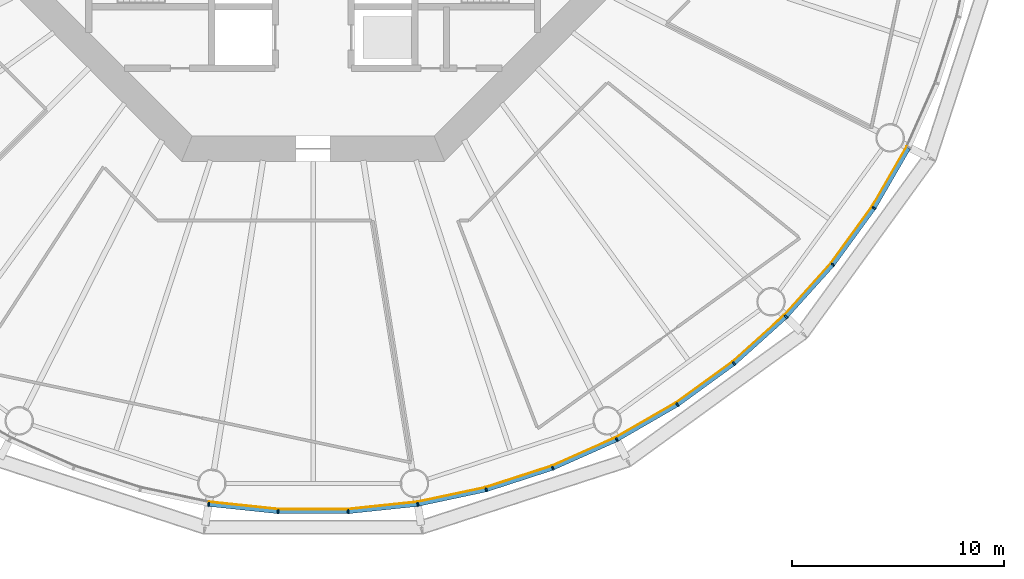
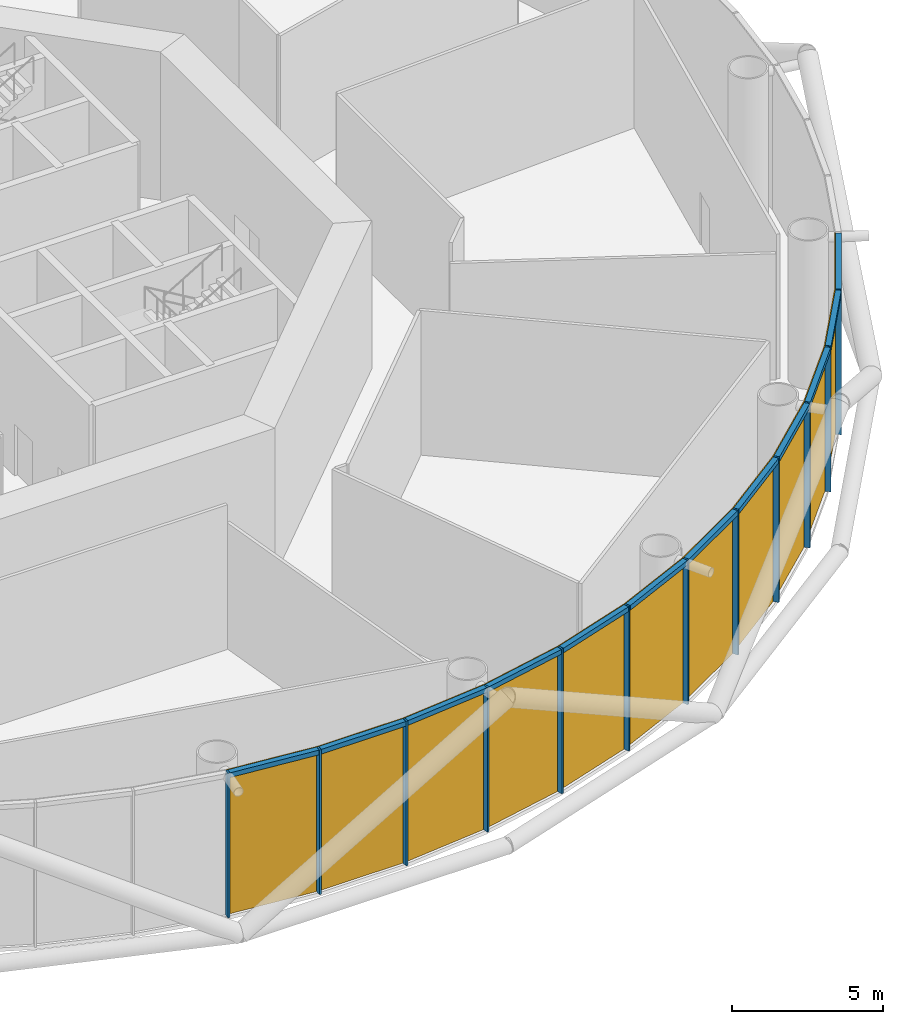
# One storey, part 8 of 14: 24 members, 4 curtain walls.
"""IFC4 building model written with IfcOpenShell, lengths in metres."""

from ifc_helpers import new_model, si_unit, direction, frame, origin, origin_2d, place, context, subcontext, project, spatial, polyline, rectangle, outline, extrude, material, layer, layer_set, material_profile, profile_set, type_object, element, aggregate, save


model = new_model("IFC4")

# Units and contexts
model_context = context("Model", 3, precision=1e-05, world=origin(), true_north=direction((0.0, 1.0)))
body_context = subcontext(model_context, "Body", "Model", "MODEL_VIEW")
ifc_project = project(units=[si_unit("LENGTHUNIT", "METRE"), si_unit("AREAUNIT", "SQUARE_METRE"), si_unit("VOLUMEUNIT", "CUBIC_METRE"), si_unit("PLANEANGLEUNIT", "RADIAN"), si_unit("MASSUNIT", "GRAM", prefix="KILO")], contexts=[model_context])

# Member
ifc_material_1 = material(Name="Anodised aluminium", Category="aluminium")
ifc_material_profile_1 = material_profile(ifc_material_1, rectangle(XDim=0.070068359375, YDim=0.199951171875, at=origin_2d()), Name="Mullion 70 x 200 mm anodised aluminium")
ifc_profile_set_1 = profile_set([ifc_material_profile_1], Name="Anodised aluminium")
member_type_1 = type_object("IfcMemberType", Name="Mullion 70 x 200 mm anodised aluminium", PredefinedType="MULLION", material=ifc_profile_set_1)
site_placement = place(None, origin())
building_placement = place(site_placement, origin())
storey_placement = place(building_placement, frame((0.0, 0.0, 132.0)))
member_1_placement = place(storey_placement, frame((85.056640625, 48.7890625, 0.0), z_axis=(0.0, 0.0, 1.0), x_axis=(0.987688340595, -0.15643446504, 0.0)))
member_1 = element("IfcMember", 1, at=member_1_placement, type_object=member_type_1, Name="MULLION L30-42", PredefinedType="MULLION", context=body_context, shape_type="SweptSolid", body=[
    extrude(rectangle(XDim=0.070068359375, YDim=0.199951171875, at=origin_2d()), origin(), (0.0, 0.0, 1.0), 5.85009765625),
])

member_2_placement = place(storey_placement, frame((88.34619140625, 48.443359375, 0.0), z_axis=(0.0, 0.0, 1.0), x_axis=(0.998629534755, -0.052335956243, 0.0)))
member_2 = element("IfcMember", 2, at=member_2_placement, type_object=member_type_1, Name="MULLION L30-43", PredefinedType="MULLION", context=body_context, shape_type="SweptSolid", body=[
    extrude(rectangle(XDim=0.070068359375, YDim=0.199951171875, at=origin_2d()), origin(), (0.0, 0.0, 1.0), 5.85009765625),
])

member_3_placement = place(storey_placement, frame((91.65380859375, 48.443359375, 0.0), z_axis=(0.0, 0.0, 1.0), x_axis=(0.998629534755, 0.052335956243, 0.0)))
member_3 = element("IfcMember", 3, at=member_3_placement, type_object=member_type_1, Name="MULLION L30-44", PredefinedType="MULLION", context=body_context, shape_type="SweptSolid", body=[
    extrude(rectangle(XDim=0.070068359375, YDim=0.199951171875, at=origin_2d()), origin(), (0.0, 0.0, 1.0), 5.85009765625),
])

member_4_placement = place(storey_placement, frame((94.943359375, 48.7890625, 0.0), z_axis=(0.0, 0.0, 1.0), x_axis=(0.987688340595, 0.15643446504, 0.0)))
member_4 = element("IfcMember", 4, at=member_4_placement, type_object=member_type_1, Name="MULLION L30-45", PredefinedType="MULLION", context=body_context, shape_type="SweptSolid", body=[
    extrude(rectangle(XDim=0.070068359375, YDim=0.199951171875, at=origin_2d()), origin(), (0.0, 0.0, 1.0), 5.85009765625),
])

member_5_placement = place(storey_placement, frame((98.1787109375, 49.476806640625, 0.0), z_axis=(0.0, 0.0, 1.0), x_axis=(0.965925826289, 0.258819045103, 0.0)))
member_5 = element("IfcMember", 5, at=member_5_placement, type_object=member_type_1, Name="MULLION L30-46", PredefinedType="MULLION", context=body_context, shape_type="SweptSolid", body=[
    extrude(rectangle(XDim=0.070068359375, YDim=0.199951171875, at=origin_2d()), origin(), (0.0, 0.0, 1.0), 5.85009765625),
])

member_6_placement = place(storey_placement, frame((101.324462890625, 50.498779296875, 0.0), z_axis=(0.0, 0.0, 1.0), x_axis=(0.933580426497, 0.358367949545, 0.0)))
member_6 = element("IfcMember", 6, at=member_6_placement, type_object=member_type_1, Name="MULLION L30-47", PredefinedType="MULLION", context=body_context, shape_type="SweptSolid", body=[
    extrude(rectangle(XDim=0.070068359375, YDim=0.199951171875, at=origin_2d()), origin(), (0.0, 0.0, 1.0), 5.85009765625),
])

member_7_placement = place(storey_placement, frame((104.34619140625, 51.84423828125, 0.0), z_axis=(0.0, 0.0, 1.0), x_axis=(0.891006524188, 0.45399049974, 0.0)))
member_7 = element("IfcMember", 7, at=member_7_placement, type_object=member_type_1, Name="MULLION L30-48", PredefinedType="MULLION", context=body_context, shape_type="SweptSolid", body=[
    extrude(rectangle(XDim=0.070068359375, YDim=0.199951171875, at=origin_2d()), origin(), (0.0, 0.0, 1.0), 5.85009765625),
])

member_8_placement = place(storey_placement, frame((107.210693359375, 53.498046875, 0.0), z_axis=(0.0, 0.0, 1.0), x_axis=(0.838670567945, 0.544639035015, 0.0)))
member_8 = element("IfcMember", 8, at=member_8_placement, type_object=member_type_1, Name="MULLION L30-49", PredefinedType="MULLION", context=body_context, shape_type="SweptSolid", body=[
    extrude(rectangle(XDim=0.070068359375, YDim=0.199951171875, at=origin_2d()), origin(), (0.0, 0.0, 1.0), 5.85009765625),
])

member_9_placement = place(storey_placement, frame((109.886474609375, 55.442138671875, 0.0), z_axis=(0.0, 0.0, 1.0), x_axis=(0.777145961457, 0.62932039105, 0.0)))
member_9 = element("IfcMember", 9, at=member_9_placement, type_object=member_type_1, Name="MULLION L30-50", PredefinedType="MULLION", context=body_context, shape_type="SweptSolid", body=[
    extrude(rectangle(XDim=0.070068359375, YDim=0.199951171875, at=origin_2d()), origin(), (0.0, 0.0, 1.0), 5.85009765625),
])

member_10_placement = place(storey_placement, frame((112.344482421875, 57.655517578125, 0.0), z_axis=(0.0, 0.0, 1.0), x_axis=(0.707106781187, 0.707106781187, 0.0)))
member_10 = element("IfcMember", 10, at=member_10_placement, type_object=member_type_1, Name="MULLION L30-51", PredefinedType="MULLION", context=body_context, shape_type="SweptSolid", body=[
    extrude(rectangle(XDim=0.070068359375, YDim=0.199951171875, at=origin_2d()), origin(), (0.0, 0.0, 1.0), 5.85009765625),
])

member_11_placement = place(storey_placement, frame((114.557861328125, 60.113525390625, 0.0), z_axis=(0.0, 0.0, 1.0), x_axis=(0.62932039105, 0.777145961457, 0.0)))
member_11 = element("IfcMember", 11, at=member_11_placement, type_object=member_type_1, Name="MULLION L30-52", PredefinedType="MULLION", context=body_context, shape_type="SweptSolid", body=[
    extrude(rectangle(XDim=0.070068359375, YDim=0.199951171875, at=origin_2d()), origin(), (0.0, 0.0, 1.0), 5.85009765625),
])

member_12_placement = place(storey_placement, frame((116.501953125, 62.789306640625, 0.0), z_axis=(0.0, 0.0, 1.0), x_axis=(0.544639035015, 0.838670567945, 0.0)))
member_12 = element("IfcMember", 12, at=member_12_placement, type_object=member_type_1, Name="MULLION L30-53", PredefinedType="MULLION", context=body_context, shape_type="SweptSolid", body=[
    extrude(rectangle(XDim=0.070068359375, YDim=0.199951171875, at=origin_2d()), origin(), (0.0, 0.0, 1.0), 5.85009765625),
])

ifc_material_2 = material(Name="Anodised aluminium", Category="aluminium")
ifc_material_profile_2 = material_profile(ifc_material_2, rectangle(XDim=0.199951171875, YDim=0.18994140625, at=origin_2d()), Name="Transom 190 x 200 mm anodised aluminium")
ifc_profile_set_2 = profile_set([ifc_material_profile_2], Name="Anodised aluminium")
member_type_2 = type_object("IfcMemberType", Name="Transom 190 x 200 mm anodised aluminium", PredefinedType="USERDEFINED", material=ifc_profile_set_2)
member_13_placement = place(storey_placement, frame((85.0966796875, 48.78466796875, 5.7548828125), z_axis=(0.994519537956, -0.104550890115, 0.0), x_axis=(0.104550890115, 0.994519537956, 0.0)))
member_13 = element("IfcMember", 13, at=member_13_placement, type_object=member_type_2, Name="TRANSOM L30-42", ObjectType="TRANSOM", PredefinedType="USERDEFINED", context=body_context, shape_type="SweptSolid", body=[
    extrude(rectangle(XDim=0.199951171875, YDim=0.18994140625, at=origin_2d()), origin(), (0.0, 0.0, 1.0), 3.22705078125),
])

member_14_placement = place(storey_placement, frame((88.386474609375, 48.443115234375, 5.7548828125), z_axis=(1.0, 0.0, 0.0), x_axis=(0.0, 1.0, 0.0)))
member_14 = element("IfcMember", 14, at=member_14_placement, type_object=member_type_2, Name="TRANSOM L30-43", ObjectType="TRANSOM", PredefinedType="USERDEFINED", context=body_context, shape_type="SweptSolid", body=[
    extrude(rectangle(XDim=0.199951171875, YDim=0.18994140625, at=origin_2d()), origin(), (0.0, 0.0, 1.0), 3.22705078125),
])

member_15_placement = place(storey_placement, frame((91.69384765625, 48.447265625, 5.7548828125), z_axis=(0.994519537956, 0.104550890115, 0.0), x_axis=(-0.104550890115, 0.994519537956, 0.0)))
member_15 = element("IfcMember", 15, at=member_15_placement, type_object=member_type_2, Name="TRANSOM L30-44", ObjectType="TRANSOM", PredefinedType="USERDEFINED", context=body_context, shape_type="SweptSolid", body=[
    extrude(rectangle(XDim=0.199951171875, YDim=0.18994140625, at=origin_2d()), origin(), (0.0, 0.0, 1.0), 3.22705078125),
])

member_16_placement = place(storey_placement, frame((94.982666015625, 48.79736328125, 5.7548828125), z_axis=(0.978153082647, 0.207885898771, 0.0), x_axis=(-0.207885898771, 0.978153082647, 0.0)))
member_16 = element("IfcMember", 16, at=member_16_placement, type_object=member_type_2, Name="TRANSOM L30-45", ObjectType="TRANSOM", PredefinedType="USERDEFINED", context=body_context, shape_type="SweptSolid", body=[
    extrude(rectangle(XDim=0.199951171875, YDim=0.18994140625, at=origin_2d()), origin(), (0.0, 0.0, 1.0), 3.227294921875),
])

member_17_placement = place(storey_placement, frame((98.217041015625, 49.489013671875, 5.7548828125), z_axis=(0.951046855117, 0.309046726844, 0.0), x_axis=(-0.309046726844, 0.951046855117, 0.0)))
member_17 = element("IfcMember", 17, at=member_17_placement, type_object=member_type_2, Name="TRANSOM L30-46", ObjectType="TRANSOM", PredefinedType="USERDEFINED", context=body_context, shape_type="SweptSolid", body=[
    extrude(rectangle(XDim=0.199951171875, YDim=0.18994140625, at=origin_2d()), origin(), (0.0, 0.0, 1.0), 3.22705078125),
])

member_18_placement = place(storey_placement, frame((101.361328125, 50.51513671875, 5.7548828125), z_axis=(0.913549291349, 0.406728032322, 0.0), x_axis=(-0.406728032322, 0.913549291349, 0.0)))
member_18 = element("IfcMember", 18, at=member_18_placement, type_object=member_type_2, Name="TRANSOM L30-47", ObjectType="TRANSOM", PredefinedType="USERDEFINED", context=body_context, shape_type="SweptSolid", body=[
    extrude(rectangle(XDim=0.199951171875, YDim=0.18994140625, at=origin_2d()), origin(), (0.0, 0.0, 1.0), 3.22705078125),
])

member_19_placement = place(storey_placement, frame((104.381103515625, 51.8642578125, 5.7548828125), z_axis=(0.866023062494, 0.500004055213, 0.0), x_axis=(-0.500004055213, 0.866023062494, 0.0)))
member_19 = element("IfcMember", 19, at=member_19_placement, type_object=member_type_2, Name="TRANSOM L30-48", ObjectType="TRANSOM", PredefinedType="USERDEFINED", context=body_context, shape_type="SweptSolid", body=[
    extrude(rectangle(XDim=0.199951171875, YDim=0.18994140625, at=origin_2d()), origin(), (0.0, 0.0, 1.0), 3.22705078125),
])

member_20_placement = place(storey_placement, frame((107.2431640625, 53.521484375, 5.7548828125), z_axis=(0.809004252048, 0.587802790201, 0.0), x_axis=(-0.587802790201, 0.809004252048, 0.0)))
member_20 = element("IfcMember", 20, at=member_20_placement, type_object=member_type_2, Name="TRANSOM L30-49", ObjectType="TRANSOM", PredefinedType="USERDEFINED", context=body_context, shape_type="SweptSolid", body=[
    extrude(rectangle(XDim=0.199951171875, YDim=0.18994140625, at=origin_2d()), origin(), (0.0, 0.0, 1.0), 3.227294921875),
])

member_21_placement = place(storey_placement, frame((109.91650390625, 55.468994140625, 5.7548828125), z_axis=(0.743132370743, 0.669144438484, 0.0), x_axis=(-0.669144438484, 0.743132370743, 0.0)))
member_21 = element("IfcMember", 21, at=member_21_placement, type_object=member_type_2, Name="TRANSOM L30-50", ObjectType="TRANSOM", PredefinedType="USERDEFINED", context=body_context, shape_type="SweptSolid", body=[
    extrude(rectangle(XDim=0.199951171875, YDim=0.18994140625, at=origin_2d()), origin(), (0.0, 0.0, 1.0), 3.22705078125),
])

member_22_placement = place(storey_placement, frame((112.37158203125, 57.685302734375, 5.7548828125), z_axis=(0.669144438484, 0.743132370743, 0.0), x_axis=(-0.743132370743, 0.669144438484, 0.0)))
member_22 = element("IfcMember", 22, at=member_22_placement, type_object=member_type_2, Name="TRANSOM L30-51", ObjectType="TRANSOM", PredefinedType="USERDEFINED", context=body_context, shape_type="SweptSolid", body=[
    extrude(rectangle(XDim=0.199951171875, YDim=0.18994140625, at=origin_2d()), origin(), (0.0, 0.0, 1.0), 3.22705078125),
])

member_23_placement = place(storey_placement, frame((114.58154296875, 60.14599609375, 5.7548828125), z_axis=(0.587802790201, 0.809004252048, 0.0), x_axis=(-0.809004252048, 0.587802790201, 0.0)))
member_23 = element("IfcMember", 23, at=member_23_placement, type_object=member_type_2, Name="TRANSOM L30-52", ObjectType="TRANSOM", PredefinedType="USERDEFINED", context=body_context, shape_type="SweptSolid", body=[
    extrude(rectangle(XDim=0.199951171875, YDim=0.18994140625, at=origin_2d()), origin(), (0.0, 0.0, 1.0), 3.227294921875),
])

member_24_placement = place(storey_placement, frame((116.522216796875, 62.82421875, 5.7548828125), z_axis=(0.500004055213, 0.866023062494, 0.0), x_axis=(-0.866023062494, 0.500004055213, 0.0)))
member_24 = element("IfcMember", 24, at=member_24_placement, type_object=member_type_2, Name="TRANSOM L30-53", ObjectType="TRANSOM", PredefinedType="USERDEFINED", context=body_context, shape_type="SweptSolid", body=[
    extrude(rectangle(XDim=0.199951171875, YDim=0.18994140625, at=origin_2d()), origin(), (0.0, 0.0, 1.0), 3.22705078125),
])

# Site, building, storey
site = spatial("IfcSite", under=ifc_project, at=site_placement, CompositionType="ELEMENT")
building = spatial("IfcBuilding", under=site, at=building_placement, Name="Entoto Ring Tower", CompositionType="ELEMENT")
storey = spatial("IfcBuildingStorey", under=building, at=storey_placement, Name="L30", CompositionType="ELEMENT", Elevation=132.0)

# Curtain wall
ifc_material_3 = material(Name="Clear low-iron glass", Category="glass")
ifc_layer = layer(ifc_material_3, 0.035888671875)
ifc_layer_set = layer_set([ifc_layer], Name="Clear low-iron glass")
curtain_wall_type = type_object("IfcCurtainWallType", Name="Curtain wall system CW2 glazing 36 mm", PredefinedType="NOTDEFINED", material=ifc_layer_set)
curtain_wall_1_placement = place(storey_placement, origin())
curtain_wall_1 = element("IfcCurtainWall", 25, at=curtain_wall_1_placement, inside=storey, type_object=curtain_wall_type, Name="CW2 L30-15", PredefinedType="NOTDEFINED", context=body_context, shape_type="SweptSolid", body=[
    extrude(outline(polyline([(85.072265625, 48.8876953125), (88.351318359375, 48.543212890625), (91.648681640625, 48.543212890625), (94.927734375, 48.8876953125), (94.922119140625, 48.92333984375), (91.646728515625, 48.5791015625), (88.353271484375, 48.5791015625), (85.077880859375, 48.92333984375), (85.072265625, 48.8876953125)])), origin(), (0.0, 0.0, 1.0), 5.85009765625),
])

aggregate(curtain_wall_1, [member_1, member_2, member_3, member_13, member_14, member_15])

curtain_wall_2_placement = place(storey_placement, origin())
curtain_wall_2 = element("IfcCurtainWall", 26, at=curtain_wall_2_placement, inside=storey, type_object=curtain_wall_type, Name="CW2 L30-16", PredefinedType="NOTDEFINED", context=body_context, shape_type="SweptSolid", body=[
    extrude(outline(polyline([(94.927734375, 48.8876953125), (98.15283203125, 49.5732421875), (101.28857421875, 50.59228515625), (104.30078125, 51.933349609375), (104.284423828125, 51.96533203125), (101.275634765625, 50.6259765625), (98.1435546875, 49.608154296875), (94.922119140625, 48.92333984375), (94.927734375, 48.8876953125)])), origin(), (0.0, 0.0, 1.0), 5.85009765625),
])

aggregate(curtain_wall_2, [member_4, member_5, member_6, member_16, member_17, member_18])

curtain_wall_3_placement = place(storey_placement, origin())
curtain_wall_3 = element("IfcCurtainWall", 27, at=curtain_wall_3_placement, inside=storey, type_object=curtain_wall_type, Name="CW2 L30-17", PredefinedType="NOTDEFINED", context=body_context, shape_type="SweptSolid", body=[
    extrude(outline(polyline([(104.30078125, 51.933349609375), (107.15625, 53.581787109375), (109.823486328125, 55.52001953125), (112.27392578125, 57.72607421875), (112.248291015625, 57.751708984375), (109.801025390625, 55.5478515625), (107.136474609375, 53.612060546875), (104.284423828125, 51.96533203125), (104.30078125, 51.933349609375)])), origin(), (0.0, 0.0, 1.0), 5.85009765625),
])

aggregate(curtain_wall_3, [member_7, member_8, member_9, member_19, member_20, member_21])

curtain_wall_4_placement = place(storey_placement, origin())
curtain_wall_4 = element("IfcCurtainWall", 28, at=curtain_wall_4_placement, inside=storey, type_object=curtain_wall_type, Name="CW2 L30-18", PredefinedType="NOTDEFINED", context=body_context, shape_type="SweptSolid", body=[
    extrude(outline(polyline([(112.27392578125, 57.72607421875), (114.47998046875, 60.176513671875), (116.418212890625, 62.84375), (118.066650390625, 65.69921875), (118.03466796875, 65.715576171875), (116.387939453125, 62.863525390625), (114.4521484375, 60.198974609375), (112.248291015625, 57.751708984375), (112.27392578125, 57.72607421875)])), origin(), (0.0, 0.0, 1.0), 5.85009765625),
])

aggregate(curtain_wall_4, [member_10, member_11, member_12, member_22, member_23, member_24])

save(model, "model.ifc")
